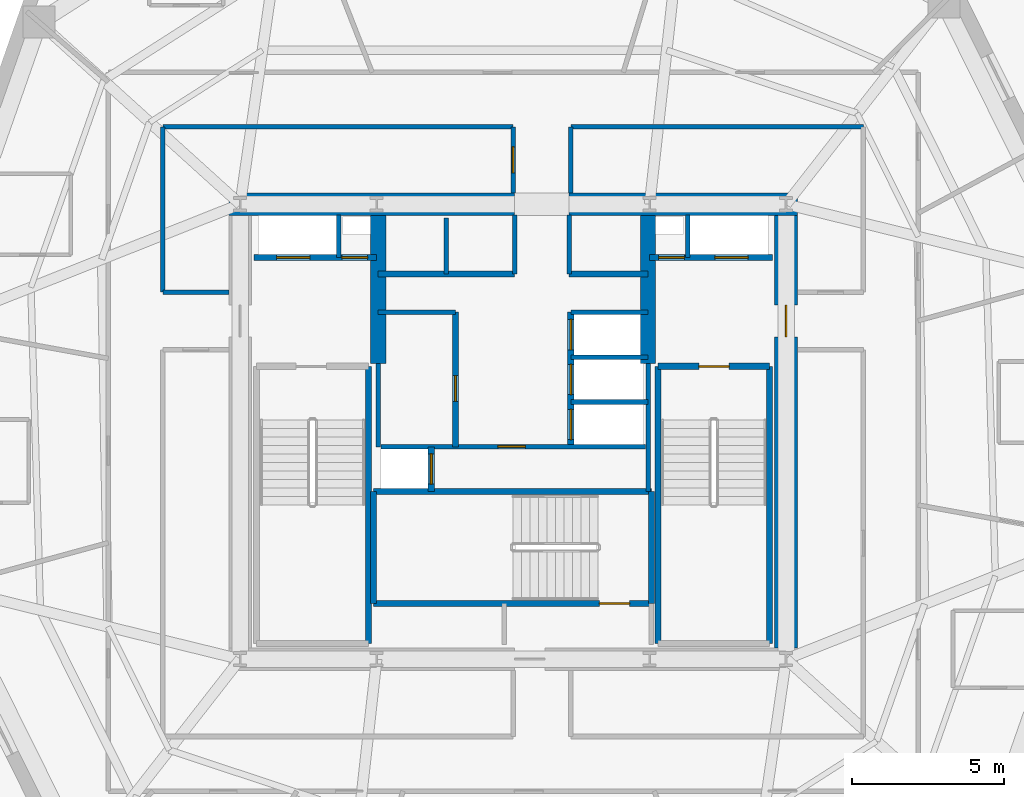
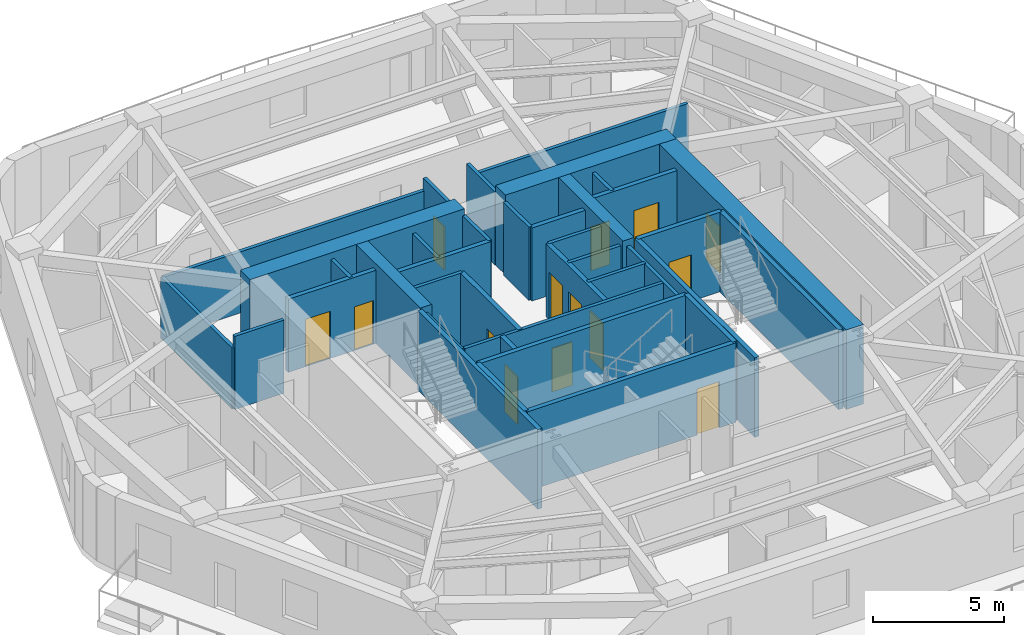
# One storey, part 4 of 10: 38 walls, 14 doors, 14 openings.
"""IFC4 building model written with IfcOpenShell, lengths in metres."""

from ifc_helpers import new_model, si_unit, direction, frame, frame_2d, origin, place, context, subcontext, project, spatial, rectangle, extrude, material, layer, layer_set, type_object, element, fill, save


model = new_model("IFC4")

# Units and contexts
model_context = context("Model", 3, precision=1e-05, world=origin(), true_north=direction((0.0, 1.0)))
body_context = subcontext(model_context, "Body", "Model", "MODEL_VIEW")
ifc_project = project(units=[si_unit("LENGTHUNIT", "METRE"), si_unit("AREAUNIT", "SQUARE_METRE"), si_unit("VOLUMEUNIT", "CUBIC_METRE"), si_unit("PLANEANGLEUNIT", "RADIAN"), si_unit("MASSUNIT", "GRAM", prefix="KILO")], contexts=[model_context])

# Site, building, storey
site_placement = place(None, origin())
site = spatial("IfcSite", under=ifc_project, at=site_placement, CompositionType="ELEMENT")
building_placement = place(site_placement, origin())
building = spatial("IfcBuilding", under=site, at=building_placement, Name="Kilnhurst Terrace Hotel", CompositionType="ELEMENT")
storey_placement = place(building_placement, frame((0.0, 0.0, 190.39990234375)))
storey = spatial("IfcBuildingStorey", under=building, at=storey_placement, Name="L47", CompositionType="ELEMENT", Elevation=190.39990234375)

# Walls
ifc_material_1 = material(Name="Acoustic Double-Gypsum Corridor Partition Assembly")
ifc_layer_1 = layer(ifc_material_1, 0.14990234375, Name="Acoustic Double-Gypsum Corridor Partition Assembly")
ifc_layer_set_1 = layer_set([ifc_layer_1], Name="Acoustic Double-Gypsum Corridor Partition Assembly")
wall_type_1 = type_object("IfcWallType", Name="WL-COR-150", PredefinedType="PARTITIONING", material=ifc_layer_set_1)
wall_1_placement = place(storey_placement, frame((11.550048828125, 10.050048828125, 0.0), z_axis=(0.0, 0.0, 1.0), x_axis=(-1.0, 0.0, 0.0)))
element("IfcWall", 1, at=wall_1_placement, inside=storey, type_object=wall_type_1, Name="L47 Interior Wall WL-L47-COR-09", PredefinedType="PARTITIONING", context=body_context, shape_type="SweptSolid", body=[
    extrude(rectangle(XDim=9.650146484375, YDim=0.14990234375, at=frame_2d((4.8251953125, 0.0))), origin(), (0.0, 0.0, 1.0), 2.840087890625),
])
wall_2_placement = place(storey_placement, frame((1.89990234375, 10.050048828125, 0.0), z_axis=(0.0, 0.0, 1.0), x_axis=(0.0, -1.0, 0.0)))
element("IfcWall", 2, at=wall_2_placement, inside=storey, type_object=wall_type_1, Name="L47 Interior Wall WL-L47-COR-10", PredefinedType="PARTITIONING", context=body_context, shape_type="SweptSolid", body=[
    extrude(rectangle(XDim=2.175048828125, YDim=0.14990234375, at=frame_2d((1.08740234375, 0.0))), origin(), (0.0, 0.0, 1.0), 3.400146484375),
])

# Wall, opening, door
wall_3_placement = place(storey_placement, frame((0.0, 7.875, 0.0), z_axis=(0.0, 0.0, 1.0), x_axis=(0.0, 1.0, 0.0)))
wall_3 = element("IfcWall", 3, at=wall_3_placement, inside=storey, type_object=wall_type_1, Name="L47 Interior Wall WL-L47-COR-11", PredefinedType="PARTITIONING", context=body_context, shape_type="SweptSolid", body=[
    extrude(rectangle(XDim=2.175048828125, YDim=0.14990234375, at=frame_2d((1.08740234375, 0.0))), origin(), (0.0, 0.0, 1.0), 3.400146484375),
])
opening_1_placement = place(wall_3_placement, frame((0.6630859375, 0.0, 0.0)))
opening_1 = element("IfcOpeningElement", 4, at=opening_1_placement, cuts=wall_3, Name="Opening D-60D", PredefinedType="OPENING", context=body_context, shape_type="SweptSolid", body=[
    extrude(rectangle(XDim=0.85009765625, YDim=2.030029296875, at=frame_2d((0.425048828125, 1.01513671875))), frame((0.0, 0.0849609375, 0.0), z_axis=(0.0, -1.0, 0.0), x_axis=(1.0, 0.0, 0.0)), (0.0, 0.0, 1.0), 0.169921875),
])
ifc_material_2 = material(Name="Painted Hollow Metal Steel ASTM A36 Riser Door", Category="steel")
door_type_1 = type_object("IfcDoorType", Name="DR-FD60-850", OperationType="NOTDEFINED", PredefinedType="DOOR", material=ifc_material_2)
door_1_placement = place(opening_1_placement, origin())
door_1 = element("IfcDoor", 5, at=door_1_placement, inside=storey, type_object=door_type_1, Name="L47 Floor Valet Equipment Store Door", OperationType="SINGLE_SWING_RIGHT", OverallHeight=2.030029296875, OverallWidth=0.85009765625, PredefinedType="DOOR", context=body_context, shape_type="SweptSolid", body=[
    extrude(rectangle(XDim=0.85009765625, YDim=2.030029296875, at=frame_2d((0.425048828125, 1.01513671875))), frame((0.0, 0.02490234375, 0.0), z_axis=(0.0, -1.0, 0.0), x_axis=(1.0, 0.0, 0.0)), (0.0, 0.0, 1.0), 0.050048828125),
])
fill(opening_1, door_1)

# Walls
wall_4_placement = place(storey_placement, frame((0.0, 10.050048828125, 0.0), z_axis=(0.0, 0.0, 1.0), x_axis=(-1.0, 0.0, 0.0)))
element("IfcWall", 6, at=wall_4_placement, inside=storey, type_object=wall_type_1, Name="L47 Interior Wall WL-L47-COR-12", PredefinedType="PARTITIONING", context=body_context, shape_type="SweptSolid", body=[
    extrude(rectangle(XDim=11.550048828125, YDim=0.14990234375, at=frame_2d((5.77490234375, 0.0))), origin(), (0.0, 0.0, 1.0), 2.840087890625),
])
wall_5_placement = place(storey_placement, frame((-11.550048828125, 10.050048828125, 0.0), z_axis=(0.0, 0.0, 1.0), x_axis=(0.0, -1.0, 0.0)))
element("IfcWall", 7, at=wall_5_placement, inside=storey, type_object=wall_type_1, Name="L47 Interior Wall WL-L47-COR-13", PredefinedType="PARTITIONING", context=body_context, shape_type="SweptSolid", body=[
    extrude(rectangle(XDim=5.449951171875, YDim=0.14990234375, at=frame_2d((2.72509765625, 0.0))), origin(), (0.0, 0.0, 1.0), 2.840087890625),
])
wall_6_placement = place(storey_placement, frame((-11.550048828125, 4.60009765625, 0.0), z_axis=(0.0, 0.0, 1.0), x_axis=(1.0, 0.0, 0.0)))
element("IfcWall", 8, at=wall_6_placement, inside=storey, type_object=wall_type_1, Name="L47 Interior Wall WL-L47-COR-14", PredefinedType="PARTITIONING", context=body_context, shape_type="SweptSolid", body=[
    extrude(rectangle(XDim=2.175048828125, YDim=0.14990234375, at=frame_2d((1.08740234375, 0.0))), origin(), (0.0, 0.0, 1.0), 3.400146484375),
])
ifc_material_3 = material(Name="Concrete C60/75", Category="concrete")
ifc_layer_2 = layer(ifc_material_3, 0.75, Name="Concrete C60/75")
ifc_layer_set_2 = layer_set([ifc_layer_2], Name="Concrete C60/75")
wall_type_2 = type_object("IfcWallType", Name="WL-CORE-750", PredefinedType="SHEAR", material=ifc_layer_set_2)
wall_7_placement = place(storey_placement, frame((-9.375, 7.5, 0.0), z_axis=(0.0, 0.0, 1.0), x_axis=(1.0, 0.0, 0.0)))
element("IfcWall", 9, at=wall_7_placement, inside=storey, type_object=wall_type_2, Name="L47 Core North West Shear Wall", PredefinedType="SHEAR", context=body_context, shape_type="SweptSolid", body=[
    extrude(rectangle(XDim=9.425048828125, YDim=0.75, at=frame_2d((4.71240234375, 0.0))), origin(), (0.0, 0.0, 1.0), 3.7001953125),
])
wall_8_placement = place(storey_placement, frame((1.85009765625, 7.5, 0.0), z_axis=(0.0, 0.0, 1.0), x_axis=(1.0, 0.0, 0.0)))
element("IfcWall", 10, at=wall_8_placement, inside=storey, type_object=wall_type_2, Name="L47 Core North East Shear Wall", PredefinedType="SHEAR", context=body_context, shape_type="SweptSolid", body=[
    extrude(rectangle(XDim=7.52490234375, YDim=0.75, at=frame_2d((3.762451171875, 0.0))), origin(), (0.0, 0.0, 1.0), 3.7001953125),
])

# Wall, opening, door
wall_9_placement = place(storey_placement, frame((9.0, -7.125, 0.0), z_axis=(0.0, 0.0, 1.0), x_axis=(0.0, 1.0, 0.0)))
wall_9 = element("IfcWall", 11, at=wall_9_placement, inside=storey, type_object=wall_type_2, Name="L47 Core East Shear Wall", PredefinedType="SHEAR", context=body_context, shape_type="SweptSolid", body=[
    extrude(rectangle(XDim=14.25, YDim=0.75, at=frame_2d((7.125, 0.0))), origin(), (0.0, 0.0, 1.0), 3.7001953125),
])
opening_2_placement = place(wall_9_placement, frame((10.25, 0.0, 0.0)))
opening_2 = element("IfcOpeningElement", 12, at=opening_2_placement, cuts=wall_9, Name="Opening D-90A", PredefinedType="OPENING", context=body_context, shape_type="SweptSolid", body=[
    extrude(rectangle(XDim=1.050048828125, YDim=2.14990234375, at=frame_2d((0.52490234375, 1.074951171875))), frame((0.0, 0.385009765625, 0.0), z_axis=(0.0, -1.0, 0.0), x_axis=(1.0, 0.0, 0.0)), (0.0, 0.0, 1.0), 0.77001953125),
])
ifc_material_4 = material(Name="Painted Hollow Metal Steel ASTM A36 Fire Door", Category="steel")
door_type_2 = type_object("IfcDoorType", Name="DR-FD90-1050", OperationType="NOTDEFINED", PredefinedType="DOOR", material=ifc_material_4)
door_2_placement = place(opening_2_placement, origin())
door_2 = element("IfcDoor", 13, at=door_2_placement, inside=storey, type_object=door_type_2, Name="L47 East Firefighting Lobby Door", OperationType="SINGLE_SWING_LEFT", OverallHeight=2.14990234375, OverallWidth=1.050048828125, PredefinedType="DOOR", context=body_context, shape_type="SweptSolid", body=[
    extrude(rectangle(XDim=1.050048828125, YDim=2.14990234375, at=frame_2d((0.52490234375, 1.074951171875))), frame((0.0, 0.02490234375, 0.0), z_axis=(0.0, -1.0, 0.0), x_axis=(1.0, 0.0, 0.0)), (0.0, 0.0, 1.0), 0.050048828125),
])
fill(opening_2, door_2)

# Walls
ifc_layer_3 = layer(ifc_material_3, 0.5, Name="Concrete C60/75")
ifc_layer_set_3 = layer_set([ifc_layer_3], Name="Concrete C60/75")
wall_type_3 = type_object("IfcWallType", Name="WL-CORE-WEB-500", PredefinedType="SHEAR", material=ifc_layer_set_3)
for number, where, z_axis, x_axis, name in (
    (14, (-4.449951171875, 2.25, 0.0), (0.0, 0.0, 1.0), (0.0, 1.0, 0.0), "L47 Core Internal West Shear Web"),
    (15, (4.449951171875, 2.25, 0.0), (0.0, 0.0, 1.0), (0.0, 1.0, 0.0), "L47 Core Internal East Shear Web"),
):
    element("IfcWall", number, at=place(storey_placement, frame(where, z_axis=z_axis, x_axis=x_axis)), inside=storey, type_object=wall_type_3, Name=name, PredefinedType="SHEAR", context=body_context, shape_type="SweptSolid", body=[
        extrude(rectangle(XDim=4.875, YDim=0.5, at=frame_2d((2.4375, 0.0))), origin(), (0.0, 0.0, 1.0), 3.7001953125),
    ])
ifc_material_5 = material(Name="Fire-Rated Gypsum Shaftliner Assembly")
ifc_layer_4 = layer(ifc_material_5, 0.14990234375, Name="Fire-Rated Gypsum Shaftliner Assembly")
ifc_layer_set_4 = layer_set([ifc_layer_4], Name="Fire-Rated Gypsum Shaftliner Assembly")
wall_type_4 = type_object("IfcWallType", Name="WL-SHAFT-150", PredefinedType="PARTITIONING", material=ifc_layer_set_4)
for number, where, z_axis, x_axis, name in (
    (16, (-5.75, 5.739990234375, 0.0), (0.0, 0.0, 1.0), (0.0, 1.0, 0.0), "L47 Interior Wall WL-L47-RIS1-DIV"),
    (17, (5.75, 5.739990234375, 0.0), (0.0, 0.0, 1.0), (0.0, 1.0, 0.0), "L47 Interior Wall WL-L47-RIS2-DIV"),
):
    element("IfcWall", number, at=place(storey_placement, frame(where, z_axis=z_axis, x_axis=x_axis)), inside=storey, type_object=wall_type_4, Name=name, PredefinedType="PARTITIONING", context=body_context, shape_type="SweptSolid", body=[
        extrude(rectangle(XDim=1.409912109375, YDim=0.14990234375, at=frame_2d((0.705078125, 0.0))), origin(), (0.0, 0.0, 1.0), 3.400146484375),
    ])
wall_10_placement = place(storey_placement, frame((-2.199951171875, 5.199951171875, 0.0), z_axis=(0.0, 0.0, 1.0), x_axis=(0.0, 1.0, 0.0)))
element("IfcWall", 18, at=wall_10_placement, inside=storey, type_object=wall_type_4, Name="L47 Interior Wall WL-L47-HR-DIV1", PredefinedType="PARTITIONING", context=body_context, shape_type="SweptSolid", body=[
    extrude(rectangle(XDim=1.85009765625, YDim=0.14990234375, at=frame_2d((0.925048828125, 0.0))), origin(), (0.0, 0.0, 1.0), 3.400146484375),
])
for number, where, z_axis, x_axis, name in (
    (19, (0.050048828125, 5.199951171875, 0.0), (0.0, 0.0, 1.0), (0.0, 1.0, 0.0), "L47 Interior Wall WL-L47-HR-PORTAL-W"),
    (20, (1.85009765625, 5.199951171875, 0.0), (0.0, 0.0, 1.0), (0.0, 1.0, 0.0), "L47 Interior Wall WL-L47-HR-PORTAL-E"),
):
    element("IfcWall", number, at=place(storey_placement, frame(where, z_axis=z_axis, x_axis=x_axis)), inside=storey, type_object=wall_type_4, Name=name, PredefinedType="PARTITIONING", context=body_context, shape_type="SweptSolid", body=[
        extrude(rectangle(XDim=1.949951171875, YDim=0.14990234375, at=frame_2d((0.97509765625, 0.0))), origin(), (0.0, 0.0, 1.0), 3.400146484375),
    ])
wall_11_placement = place(storey_placement, frame((-4.449951171875, -0.5, 0.0), z_axis=(0.0, 0.0, 1.0), x_axis=(0.0, 1.0, 0.0)))
element("IfcWall", 21, at=wall_11_placement, inside=storey, type_object=wall_type_4, Name="L47 Interior Wall WL-L47-XLOB-W", PredefinedType="PARTITIONING", context=body_context, shape_type="SweptSolid", body=[
    extrude(rectangle(XDim=2.75, YDim=0.14990234375, at=frame_2d((1.375, 0.0))), origin(), (0.0, 0.0, 1.0), 3.400146484375),
])
wall_12_placement = place(storey_placement, frame((4.449951171875, -1.971923828125, 0.0), z_axis=(0.0, 0.0, 1.0), x_axis=(0.0, 1.0, 0.0)))
element("IfcWall", 22, at=wall_12_placement, inside=storey, type_object=wall_type_4, Name="L47 Interior Wall WL-L47-XLOB-E", PredefinedType="PARTITIONING", context=body_context, shape_type="SweptSolid", body=[
    extrude(rectangle(XDim=4.221923828125, YDim=0.14990234375, at=frame_2d((2.11083984375, 0.0))), origin(), (0.0, 0.0, 1.0), 3.400146484375),
])
for number, where, z_axis, x_axis, name in (
    (23, (-4.449951171875, 3.93994140625, 0.0), (0.0, 0.0, 1.0), (1.0, 0.0, 0.0), "L47 Interior Wall WL-L47-LR-NORTH"),
    (24, (1.89990234375, 3.93994140625, 0.0), (0.0, 0.0, 1.0), (1.0, 0.0, 0.0), "L47 Interior Wall WL-L47-MR-NORTH"),
    (25, (1.89990234375, 0.97998046875, 0.0), (0.0, 0.0, 1.0), (1.0, 0.0, 0.0), "L47 Interior Wall WL-L47-MR-D1"),
    (26, (1.89990234375, 2.4599609375, 0.0), (0.0, 0.0, 1.0), (1.0, 0.0, 0.0), "L47 Interior Wall WL-L47-MR-D2"),
):
    element("IfcWall", number, at=place(storey_placement, frame(where, z_axis=z_axis, x_axis=x_axis)), inside=storey, type_object=wall_type_4, Name=name, PredefinedType="PARTITIONING", context=body_context, shape_type="SweptSolid", body=[
        extrude(rectangle(XDim=2.550048828125, YDim=0.14990234375, at=frame_2d((1.27490234375, 0.0))), origin(), (0.0, 0.0, 1.0), 3.400146484375),
    ])

# Wall, opening, door
wall_13_placement = place(storey_placement, frame((-4.360107421875, -0.489990234375, 0.0), z_axis=(0.0, 0.0, 1.0), x_axis=(1.0, 0.0, 0.0)))
wall_13 = element("IfcWall", 27, at=wall_13_placement, inside=storey, type_object=wall_type_4, Name="L47 Interior Wall WL-L47-BOH-N", PredefinedType="PARTITIONING", context=body_context, shape_type="SweptSolid", body=[
    extrude(rectangle(XDim=8.72021484375, YDim=0.14990234375, at=frame_2d((4.360107421875, 0.0))), origin(), (0.0, 0.0, 1.0), 3.400146484375),
])
opening_3_placement = place(wall_13_placement, frame((3.860107421875, 0.0, 0.0)))
opening_3 = element("IfcOpeningElement", 28, at=opening_3_placement, cuts=wall_13, Name="Opening D-60C", PredefinedType="OPENING", context=body_context, shape_type="SweptSolid", body=[
    extrude(rectangle(XDim=0.89990234375, YDim=2.030029296875, at=frame_2d((0.449951171875, 1.01513671875))), frame((0.0, 0.0849609375, 0.0), z_axis=(0.0, -1.0, 0.0), x_axis=(1.0, 0.0, 0.0)), (0.0, 0.0, 1.0), 0.169921875),
])
ifc_material_6 = material(Name="Painted Solid-Core Service Fire Door")
door_type_3 = type_object("IfcDoorType", Name="DR-FD60-900", OperationType="NOTDEFINED", PredefinedType="DOOR", material=ifc_material_6)
door_3_placement = place(opening_3_placement, origin())
door_3 = element("IfcDoor", 29, at=door_3_placement, inside=storey, type_object=door_type_3, Name="L47 Housekeeping Laundry Door", OperationType="SINGLE_SWING_LEFT", OverallHeight=2.030029296875, OverallWidth=0.89990234375, PredefinedType="DOOR", context=body_context, shape_type="SweptSolid", body=[
    extrude(rectangle(XDim=0.89990234375, YDim=2.030029296875, at=frame_2d((0.449951171875, 1.01513671875))), frame((0.0, 0.02490234375, 0.0), z_axis=(0.0, -1.0, 0.0), x_axis=(1.0, 0.0, 0.0)), (0.0, 0.0, 1.0), 0.050048828125),
])
fill(opening_3, door_3)

# Wall, openings, doors
ifc_material_7 = material(Name="Autoclaved Aerated Concrete C30/37 and Gypsum Shaft Assembly", Category="concrete")
ifc_layer_5 = layer(ifc_material_7, 0.199951171875, Name="Autoclaved Aerated Concrete C30/37 and Gypsum Shaft Assembly")
ifc_layer_set_5 = layer_set([ifc_layer_5], Name="Autoclaved Aerated Concrete C30/37 and Gypsum Shaft Assembly")
wall_type_5 = type_object("IfcWallType", Name="WL-SHAFT-200", PredefinedType="PARTITIONING", material=ifc_layer_set_5)
wall_14_placement = place(storey_placement, frame((-8.550048828125, 5.739990234375, 0.0), z_axis=(0.0, 0.0, 1.0), x_axis=(1.0, 0.0, 0.0)))
wall_14 = element("IfcWall", 30, at=wall_14_placement, inside=storey, type_object=wall_type_5, Name="L47 Interior Wall WL-L47-FSAE1-S", PredefinedType="PARTITIONING", context=body_context, shape_type="SweptSolid", body=[
    extrude(rectangle(XDim=4.050048828125, YDim=0.199951171875, at=frame_2d((2.02490234375, 0.0))), origin(), (0.0, 0.0, 1.0), 3.400146484375),
])
opening_4_placement = place(wall_14_placement, frame((0.75, 0.0, 0.0)))
opening_4 = element("IfcOpeningElement", 31, at=opening_4_placement, cuts=wall_14, Name="Opening LD-F1", PredefinedType="OPENING", context=body_context, shape_type="SweptSolid", body=[
    extrude(rectangle(XDim=1.10009765625, YDim=2.199951171875, at=frame_2d((0.550048828125, 1.10009765625))), frame((0.0, 0.10986328125, 0.0), z_axis=(0.0, -1.0, 0.0), x_axis=(1.0, 0.0, 0.0)), (0.0, 0.0, 1.0), 0.219970703125),
])
opening_5_placement = place(wall_14_placement, frame((2.89990234375, 0.0, 0.0)))
opening_5 = element("IfcOpeningElement", 32, at=opening_5_placement, cuts=wall_14, Name="Opening D-60D", PredefinedType="OPENING", context=body_context, shape_type="SweptSolid", body=[
    extrude(rectangle(XDim=0.85009765625, YDim=2.030029296875, at=frame_2d((0.425048828125, 1.01513671875))), frame((0.0, 0.10986328125, 0.0), z_axis=(0.0, -1.0, 0.0), x_axis=(1.0, 0.0, 0.0)), (0.0, 0.0, 1.0), 0.219970703125),
])
door_4_placement = place(opening_5_placement, origin())
door_4 = element("IfcDoor", 33, at=door_4_placement, inside=storey, type_object=door_type_1, Name="L47 Electrical Riser Door", OperationType="SINGLE_SWING_LEFT", OverallHeight=2.030029296875, OverallWidth=0.85009765625, PredefinedType="DOOR", context=body_context, shape_type="SweptSolid", body=[
    extrude(rectangle(XDim=0.85009765625, YDim=2.030029296875, at=frame_2d((0.425048828125, 1.01513671875))), frame((0.0, 0.02490234375, 0.0), z_axis=(0.0, -1.0, 0.0), x_axis=(1.0, 0.0, 0.0)), (0.0, 0.0, 1.0), 0.050048828125),
])
fill(opening_5, door_4)
ifc_material_8 = material(Name="Bronze-Anodized Stainless Steel AISI 316L Sliding Door", Category="steel")
door_type_4 = type_object("IfcDoorType", Name="DR-LIFT-1100", OperationType="NOTDEFINED", PredefinedType="DOOR", material=ifc_material_8)
door_5_placement = place(opening_4_placement, origin())
door_5 = element("IfcDoor", 34, at=door_5_placement, inside=storey, type_object=door_type_4, Name="L47 FSAE-1 Landing Door", OperationType="SLIDING_TO_LEFT", OverallHeight=2.199951171875, OverallWidth=1.10009765625, PredefinedType="DOOR", context=body_context, shape_type="SweptSolid", body=[
    extrude(rectangle(XDim=1.10009765625, YDim=2.199951171875, at=frame_2d((0.550048828125, 1.10009765625))), frame((0.0, 0.02490234375, 0.0), z_axis=(0.0, -1.0, 0.0), x_axis=(1.0, 0.0, 0.0)), (0.0, 0.0, 1.0), 0.050048828125),
])
fill(opening_4, door_5)

wall_15_placement = place(storey_placement, frame((4.5, 5.739990234375, 0.0), z_axis=(0.0, 0.0, 1.0), x_axis=(1.0, 0.0, 0.0)))
wall_15 = element("IfcWall", 35, at=wall_15_placement, inside=storey, type_object=wall_type_5, Name="L47 Interior Wall WL-L47-FSAE2-S", PredefinedType="PARTITIONING", context=body_context, shape_type="SweptSolid", body=[
    extrude(rectangle(XDim=4.050048828125, YDim=0.199951171875, at=frame_2d((2.02490234375, 0.0))), origin(), (0.0, 0.0, 1.0), 3.400146484375),
])
opening_6_placement = place(wall_15_placement, frame((0.300048828125, 0.0, 0.0)))
opening_6 = element("IfcOpeningElement", 36, at=opening_6_placement, cuts=wall_15, Name="Opening D-60D", PredefinedType="OPENING", context=body_context, shape_type="SweptSolid", body=[
    extrude(rectangle(XDim=0.85009765625, YDim=2.030029296875, at=frame_2d((0.425048828125, 1.01513671875))), frame((0.0, 0.10986328125, 0.0), z_axis=(0.0, -1.0, 0.0), x_axis=(1.0, 0.0, 0.0)), (0.0, 0.0, 1.0), 0.219970703125),
])
opening_7_placement = place(wall_15_placement, frame((2.14990234375, 0.0, 0.0)))
opening_7 = element("IfcOpeningElement", 37, at=opening_7_placement, cuts=wall_15, Name="Opening LD-F2", PredefinedType="OPENING", context=body_context, shape_type="SweptSolid", body=[
    extrude(rectangle(XDim=1.10009765625, YDim=2.199951171875, at=frame_2d((0.550048828125, 1.10009765625))), frame((0.0, 0.10986328125, 0.0), z_axis=(0.0, -1.0, 0.0), x_axis=(1.0, 0.0, 0.0)), (0.0, 0.0, 1.0), 0.219970703125),
])
door_6_placement = place(opening_6_placement, origin())
door_6 = element("IfcDoor", 38, at=door_6_placement, inside=storey, type_object=door_type_1, Name="L47 Telecom Riser Door", OperationType="SINGLE_SWING_RIGHT", OverallHeight=2.030029296875, OverallWidth=0.85009765625, PredefinedType="DOOR", context=body_context, shape_type="SweptSolid", body=[
    extrude(rectangle(XDim=0.85009765625, YDim=2.030029296875, at=frame_2d((0.425048828125, 1.01513671875))), frame((0.0, 0.02490234375, 0.0), z_axis=(0.0, -1.0, 0.0), x_axis=(1.0, 0.0, 0.0)), (0.0, 0.0, 1.0), 0.050048828125),
])
fill(opening_6, door_6)
door_7_placement = place(opening_7_placement, origin())
door_7 = element("IfcDoor", 39, at=door_7_placement, inside=storey, type_object=door_type_4, Name="L47 FSAE-2 Landing Door", OperationType="SLIDING_TO_RIGHT", OverallHeight=2.199951171875, OverallWidth=1.10009765625, PredefinedType="DOOR", context=body_context, shape_type="SweptSolid", body=[
    extrude(rectangle(XDim=1.10009765625, YDim=2.199951171875, at=frame_2d((0.550048828125, 1.10009765625))), frame((0.0, 0.02490234375, 0.0), z_axis=(0.0, -1.0, 0.0), x_axis=(1.0, 0.0, 0.0)), (0.0, 0.0, 1.0), 0.050048828125),
])
fill(opening_7, door_7)

# Wall, opening, door
wall_16_placement = place(storey_placement, frame((-2.699951171875, -1.971923828125, 0.0), z_axis=(0.0, 0.0, 1.0), x_axis=(0.0, 1.0, 0.0)))
wall_16 = element("IfcWall", 40, at=wall_16_placement, inside=storey, type_object=wall_type_5, Name="L47 Interior Wall WL-L47-SRV1-E", PredefinedType="PARTITIONING", context=body_context, shape_type="SweptSolid", body=[
    extrude(rectangle(XDim=1.471923828125, YDim=0.199951171875, at=frame_2d((0.73583984375, 0.0))), origin(), (0.0, 0.0, 1.0), 3.400146484375),
])
opening_8_placement = place(wall_16_placement, frame((0.239990234375, 0.0, 0.0)))
opening_8 = element("IfcOpeningElement", 41, at=opening_8_placement, cuts=wall_16, Name="Opening LD-SV", PredefinedType="OPENING", context=body_context, shape_type="SweptSolid", body=[
    extrude(rectangle(XDim=1.0, YDim=2.199951171875, at=frame_2d((0.5, 1.10009765625))), frame((0.0, 0.10986328125, 0.0), z_axis=(0.0, -1.0, 0.0), x_axis=(1.0, 0.0, 0.0)), (0.0, 0.0, 1.0), 0.219970703125),
])
door_type_5 = type_object("IfcDoorType", Name="DR-LIFT-1000", OperationType="NOTDEFINED", PredefinedType="DOOR", material=ifc_material_8)
door_8_placement = place(opening_8_placement, origin())
door_8 = element("IfcDoor", 42, at=door_8_placement, inside=storey, type_object=door_type_5, Name="L47 Service Lift SRV-1 Landing Door", OperationType="SLIDING_TO_LEFT", OverallHeight=2.199951171875, OverallWidth=1.0, PredefinedType="DOOR", context=body_context, shape_type="SweptSolid", body=[
    extrude(rectangle(XDim=1.0, YDim=2.199951171875, at=frame_2d((0.5, 1.10009765625))), frame((0.0, 0.02490234375, 0.0), z_axis=(0.0, -1.0, 0.0), x_axis=(1.0, 0.0, 0.0)), (0.0, 0.0, 1.0), 0.050048828125),
])
fill(opening_8, door_8)

# Walls
wall_17_placement = place(storey_placement, frame((-4.449951171875, 5.199951171875, 0.0), z_axis=(0.0, 0.0, 1.0), x_axis=(1.0, 0.0, 0.0)))
element("IfcWall", 43, at=wall_17_placement, inside=storey, type_object=wall_type_5, Name="L47 Interior Wall WL-L47-HR-SW", PredefinedType="PARTITIONING", context=body_context, shape_type="SweptSolid", body=[
    extrude(rectangle(XDim=4.5, YDim=0.199951171875, at=frame_2d((2.25, 0.0))), origin(), (0.0, 0.0, 1.0), 3.400146484375),
])
wall_18_placement = place(storey_placement, frame((1.85009765625, 5.199951171875, 0.0), z_axis=(0.0, 0.0, 1.0), x_axis=(1.0, 0.0, 0.0)))
element("IfcWall", 44, at=wall_18_placement, inside=storey, type_object=wall_type_5, Name="L47 Interior Wall WL-L47-HR-SE", PredefinedType="PARTITIONING", context=body_context, shape_type="SweptSolid", body=[
    extrude(rectangle(XDim=2.599853515625, YDim=0.199951171875, at=frame_2d((1.2998046875, 0.0))), origin(), (0.0, 0.0, 1.0), 3.400146484375),
])

# Wall, opening, door
wall_19_placement = place(storey_placement, frame((-1.89990234375, -0.5, 0.0), z_axis=(0.0, 0.0, 1.0), x_axis=(0.0, 1.0, 0.0)))
wall_19 = element("IfcWall", 45, at=wall_19_placement, inside=storey, type_object=wall_type_5, Name="L47 Interior Wall WL-L47-LR-FRONT", PredefinedType="PARTITIONING", context=body_context, shape_type="SweptSolid", body=[
    extrude(rectangle(XDim=4.43994140625, YDim=0.199951171875, at=frame_2d((2.219970703125, 0.0))), origin(), (0.0, 0.0, 1.0), 3.400146484375),
])
opening_9_placement = place(wall_19_placement, frame((1.5, 0.0, 0.0)))
opening_9 = element("IfcOpeningElement", 46, at=opening_9_placement, cuts=wall_19, Name="Opening D-60D", PredefinedType="OPENING", context=body_context, shape_type="SweptSolid", body=[
    extrude(rectangle(XDim=0.85009765625, YDim=2.030029296875, at=frame_2d((0.425048828125, 1.01513671875))), frame((0.0, 0.10986328125, 0.0), z_axis=(0.0, -1.0, 0.0), x_axis=(1.0, 0.0, 0.0)), (0.0, 0.0, 1.0), 0.219970703125),
])
door_9_placement = place(opening_9_placement, origin())
door_9 = element("IfcDoor", 47, at=door_9_placement, inside=storey, type_object=door_type_1, Name="L47 Reclaimed Linen Room Door", OperationType="SINGLE_SWING_LEFT", OverallHeight=2.030029296875, OverallWidth=0.85009765625, PredefinedType="DOOR", context=body_context, shape_type="SweptSolid", body=[
    extrude(rectangle(XDim=0.85009765625, YDim=2.030029296875, at=frame_2d((0.425048828125, 1.01513671875))), frame((0.0, 0.02490234375, 0.0), z_axis=(0.0, -1.0, 0.0), x_axis=(1.0, 0.0, 0.0)), (0.0, 0.0, 1.0), 0.050048828125),
])
fill(opening_9, door_9)

# Wall, openings, doors
wall_20_placement = place(storey_placement, frame((1.89990234375, -0.5, 0.0), z_axis=(0.0, 0.0, 1.0), x_axis=(0.0, 1.0, 0.0)))
wall_20 = element("IfcWall", 48, at=wall_20_placement, inside=storey, type_object=wall_type_5, Name="L47 Interior Wall WL-L47-MR-FRONT", PredefinedType="PARTITIONING", context=body_context, shape_type="SweptSolid", body=[
    extrude(rectangle(XDim=4.43994140625, YDim=0.199951171875, at=frame_2d((2.219970703125, 0.0))), origin(), (0.0, 0.0, 1.0), 3.400146484375),
])
opening_10_placement = place(wall_20_placement, frame((0.239990234375, 0.0, 0.0)))
opening_10 = element("IfcOpeningElement", 49, at=opening_10_placement, cuts=wall_20, Name="Opening LD-MR", PredefinedType="OPENING", context=body_context, shape_type="SweptSolid", body=[
    extrude(rectangle(XDim=1.0, YDim=2.199951171875, at=frame_2d((0.5, 1.10009765625))), frame((0.0, 0.10986328125, 0.0), z_axis=(0.0, -1.0, 0.0), x_axis=(1.0, 0.0, 0.0)), (0.0, 0.0, 1.0), 0.219970703125),
])
opening_11_placement = place(wall_20_placement, frame((1.719970703125, 0.0, 0.0)))
opening_11 = element("IfcOpeningElement", 50, at=opening_11_placement, cuts=wall_20, Name="Opening LD-MR", PredefinedType="OPENING", context=body_context, shape_type="SweptSolid", body=[
    extrude(rectangle(XDim=1.0, YDim=2.199951171875, at=frame_2d((0.5, 1.10009765625))), frame((0.0, 0.10986328125, 0.0), z_axis=(0.0, -1.0, 0.0), x_axis=(1.0, 0.0, 0.0)), (0.0, 0.0, 1.0), 0.219970703125),
])
opening_12_placement = place(wall_20_placement, frame((3.199951171875, 0.0, 0.0)))
opening_12 = element("IfcOpeningElement", 51, at=opening_12_placement, cuts=wall_20, Name="Opening LD-MR", PredefinedType="OPENING", context=body_context, shape_type="SweptSolid", body=[
    extrude(rectangle(XDim=1.0, YDim=2.199951171875, at=frame_2d((0.5, 1.10009765625))), frame((0.0, 0.10986328125, 0.0), z_axis=(0.0, -1.0, 0.0), x_axis=(1.0, 0.0, 0.0)), (0.0, 0.0, 1.0), 0.219970703125),
])
door_10_placement = place(opening_10_placement, origin())
door_10 = element("IfcDoor", 52, at=door_10_placement, inside=storey, type_object=door_type_5, Name="L47 Mid Rise Lift MR-1 Landing Door", OperationType="SLIDING_TO_RIGHT", OverallHeight=2.199951171875, OverallWidth=1.0, PredefinedType="DOOR", context=body_context, shape_type="SweptSolid", body=[
    extrude(rectangle(XDim=1.0, YDim=2.199951171875, at=frame_2d((0.5, 1.10009765625))), frame((0.0, 0.02490234375, 0.0), z_axis=(0.0, -1.0, 0.0), x_axis=(1.0, 0.0, 0.0)), (0.0, 0.0, 1.0), 0.050048828125),
])
fill(opening_10, door_10)
door_11_placement = place(opening_11_placement, origin())
door_11 = element("IfcDoor", 53, at=door_11_placement, inside=storey, type_object=door_type_5, Name="L47 Mid Rise Lift MR-2 Landing Door", OperationType="SLIDING_TO_RIGHT", OverallHeight=2.199951171875, OverallWidth=1.0, PredefinedType="DOOR", context=body_context, shape_type="SweptSolid", body=[
    extrude(rectangle(XDim=1.0, YDim=2.199951171875, at=frame_2d((0.5, 1.10009765625))), frame((0.0, 0.02490234375, 0.0), z_axis=(0.0, -1.0, 0.0), x_axis=(1.0, 0.0, 0.0)), (0.0, 0.0, 1.0), 0.050048828125),
])
fill(opening_11, door_11)
door_12_placement = place(opening_12_placement, origin())
door_12 = element("IfcDoor", 54, at=door_12_placement, inside=storey, type_object=door_type_5, Name="L47 Mid Rise Lift MR-3 Landing Door", OperationType="SLIDING_TO_RIGHT", OverallHeight=2.199951171875, OverallWidth=1.0, PredefinedType="DOOR", context=body_context, shape_type="SweptSolid", body=[
    extrude(rectangle(XDim=1.0, YDim=2.199951171875, at=frame_2d((0.5, 1.10009765625))), frame((0.0, 0.02490234375, 0.0), z_axis=(0.0, -1.0, 0.0), x_axis=(1.0, 0.0, 0.0)), (0.0, 0.0, 1.0), 0.050048828125),
])
fill(opening_12, door_12)

# Walls
ifc_material_9 = material(Name="Concrete C50/60", Category="concrete")
ifc_layer_6 = layer(ifc_material_9, 0.199951171875, Name="Concrete C50/60")
ifc_layer_set_6 = layer_set([ifc_layer_6], Name="Concrete C50/60")
wall_type_6 = type_object("IfcWallType", Name="WL-STAIR-RC-200", PredefinedType="SHEAR", material=ifc_layer_set_6)
for number, where, z_axis, x_axis, name in (
    (55, (-4.77197265625, -6.985107421875, 0.0), (0.0, 0.0, 1.0), (0.0, 1.0, 0.0), "L47 Structural Stair Shaft Wall WL-L47-ST1-E"),
    (56, (4.77197265625, -6.985107421875, 0.0), (0.0, 0.0, 1.0), (0.0, 1.0, 0.0), "L47 Structural Stair Shaft Wall WL-L47-ST2-W"),
    (57, (8.4580078125, -6.985107421875, 0.0), (0.0, 0.0, 1.0), (0.0, 1.0, 0.0), "L47 Structural Stair Shaft Wall WL-L47-ST2-E"),
):
    element("IfcWall", number, at=place(storey_placement, frame(where, z_axis=z_axis, x_axis=x_axis)), inside=storey, type_object=wall_type_6, Name=name, PredefinedType="SHEAR", context=body_context, shape_type="SweptSolid", body=[
        extrude(rectangle(XDim=9.14306640625, YDim=0.199951171875, at=frame_2d((4.571533203125, 0.0))), origin(), (0.0, 0.0, 1.0), 3.7001953125),
    ])

# Wall, opening, door
wall_21_placement = place(storey_placement, frame((4.77197265625, 2.157958984375, 0.0), z_axis=(0.0, 0.0, 1.0), x_axis=(1.0, 0.0, 0.0)))
wall_21 = element("IfcWall", 58, at=wall_21_placement, inside=storey, type_object=wall_type_6, Name="L47 Structural Stair Shaft Wall WL-L47-ST2-N", PredefinedType="SHEAR", context=body_context, shape_type="SweptSolid", body=[
    extrude(rectangle(XDim=3.68603515625, YDim=0.199951171875, at=frame_2d((1.843017578125, 0.0))), origin(), (0.0, 0.0, 1.0), 3.7001953125),
])
opening_13_placement = place(wall_21_placement, frame((1.35009765625, 0.0, 0.0)))
opening_13 = element("IfcOpeningElement", 59, at=opening_13_placement, cuts=wall_21, Name="Opening D-90B", PredefinedType="OPENING", context=body_context, shape_type="SweptSolid", body=[
    extrude(rectangle(XDim=1.0, YDim=2.14990234375, at=frame_2d((0.5, 1.074951171875))), frame((0.0, 0.10986328125, 0.0), z_axis=(0.0, -1.0, 0.0), x_axis=(1.0, 0.0, 0.0)), (0.0, 0.0, 1.0), 0.219970703125),
])
door_type_6 = type_object("IfcDoorType", Name="DR-FD90-1000", OperationType="NOTDEFINED", PredefinedType="DOOR", material=ifc_material_4)
door_13_placement = place(opening_13_placement, origin())
door_13 = element("IfcDoor", 60, at=door_13_placement, inside=storey, type_object=door_type_6, Name="L47 Stair ST-2 Door", OperationType="SINGLE_SWING_RIGHT", OverallHeight=2.14990234375, OverallWidth=1.0, PredefinedType="DOOR", context=body_context, shape_type="SweptSolid", body=[
    extrude(rectangle(XDim=1.0, YDim=2.14990234375, at=frame_2d((0.5, 1.074951171875))), frame((0.0, 0.02490234375, 0.0), z_axis=(0.0, -1.0, 0.0), x_axis=(1.0, 0.0, 0.0)), (0.0, 0.0, 1.0), 0.050048828125),
])
fill(opening_13, door_13)

# Wall
wall_22_placement = place(storey_placement, frame((-4.60791015625, -5.657958984375, 0.0), z_axis=(0.0, 0.0, 1.0), x_axis=(0.0, 1.0, 0.0)))
element("IfcWall", 61, at=wall_22_placement, inside=storey, type_object=wall_type_6, Name="L47 Structural Stair Shaft Wall WL-L47-ST3-W", PredefinedType="SHEAR", context=body_context, shape_type="SweptSolid", body=[
    extrude(rectangle(XDim=3.68603515625, YDim=0.199951171875, at=frame_2d((1.843017578125, 0.0))), origin(), (0.0, 0.0, 1.0), 3.7001953125),
])

# Wall, opening, door
wall_23_placement = place(storey_placement, frame((-4.60791015625, -5.657958984375, 0.0), z_axis=(0.0, 0.0, 1.0), x_axis=(1.0, 0.0, 0.0)))
wall_23 = element("IfcWall", 62, at=wall_23_placement, inside=storey, type_object=wall_type_6, Name="L47 Structural Stair Shaft Wall WL-L47-ST3-S", PredefinedType="SHEAR", context=body_context, shape_type="SweptSolid", body=[
    extrude(rectangle(XDim=9.166015625, YDim=0.199951171875, at=frame_2d((4.5830078125, 0.0))), origin(), (0.0, 0.0, 1.0), 3.7001953125),
])
opening_14_placement = place(wall_23_placement, frame((7.449951171875, 0.0, 0.0)))
opening_14 = element("IfcOpeningElement", 63, at=opening_14_placement, cuts=wall_23, Name="Opening D-90B", PredefinedType="OPENING", context=body_context, shape_type="SweptSolid", body=[
    extrude(rectangle(XDim=1.0, YDim=2.14990234375, at=frame_2d((0.5, 1.074951171875))), frame((0.0, 0.10986328125, 0.0), z_axis=(0.0, -1.0, 0.0), x_axis=(1.0, 0.0, 0.0)), (0.0, 0.0, 1.0), 0.219970703125),
])
door_14_placement = place(opening_14_placement, origin())
door_14 = element("IfcDoor", 64, at=door_14_placement, inside=storey, type_object=door_type_6, Name="L47 Stair ST-3 Shaft Door", OperationType="SINGLE_SWING_LEFT", OverallHeight=2.14990234375, OverallWidth=1.0, PredefinedType="DOOR", context=body_context, shape_type="SweptSolid", body=[
    extrude(rectangle(XDim=1.0, YDim=2.14990234375, at=frame_2d((0.5, 1.074951171875))), frame((0.0, 0.02490234375, 0.0), z_axis=(0.0, -1.0, 0.0), x_axis=(1.0, 0.0, 0.0)), (0.0, 0.0, 1.0), 0.050048828125),
])
fill(opening_14, door_14)

# Walls
wall_24_placement = place(storey_placement, frame((-4.60791015625, -1.971923828125, 0.0), z_axis=(0.0, 0.0, 1.0), x_axis=(1.0, 0.0, 0.0)))
element("IfcWall", 65, at=wall_24_placement, inside=storey, type_object=wall_type_6, Name="L47 Structural Stair Shaft Wall WL-L47-ST3-N", PredefinedType="SHEAR", context=body_context, shape_type="SweptSolid", body=[
    extrude(rectangle(XDim=9.166015625, YDim=0.199951171875, at=frame_2d((4.5830078125, 0.0))), origin(), (0.0, 0.0, 1.0), 3.7001953125),
])
wall_25_placement = place(storey_placement, frame((4.55810546875, -5.657958984375, 0.0), z_axis=(0.0, 0.0, 1.0), x_axis=(0.0, 1.0, 0.0)))
element("IfcWall", 66, at=wall_25_placement, inside=storey, type_object=wall_type_6, Name="L47 Structural Stair Shaft Wall WL-L47-ST3-E", PredefinedType="SHEAR", context=body_context, shape_type="SweptSolid", body=[
    extrude(rectangle(XDim=3.68603515625, YDim=0.199951171875, at=frame_2d((1.843017578125, 0.0))), origin(), (0.0, 0.0, 1.0), 3.7001953125),
])

save(model, "model.ifc")
